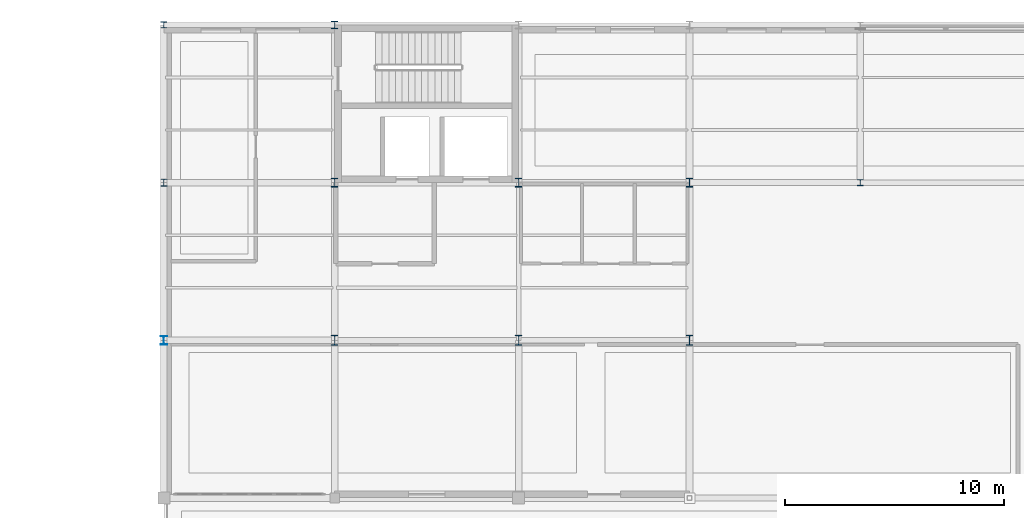
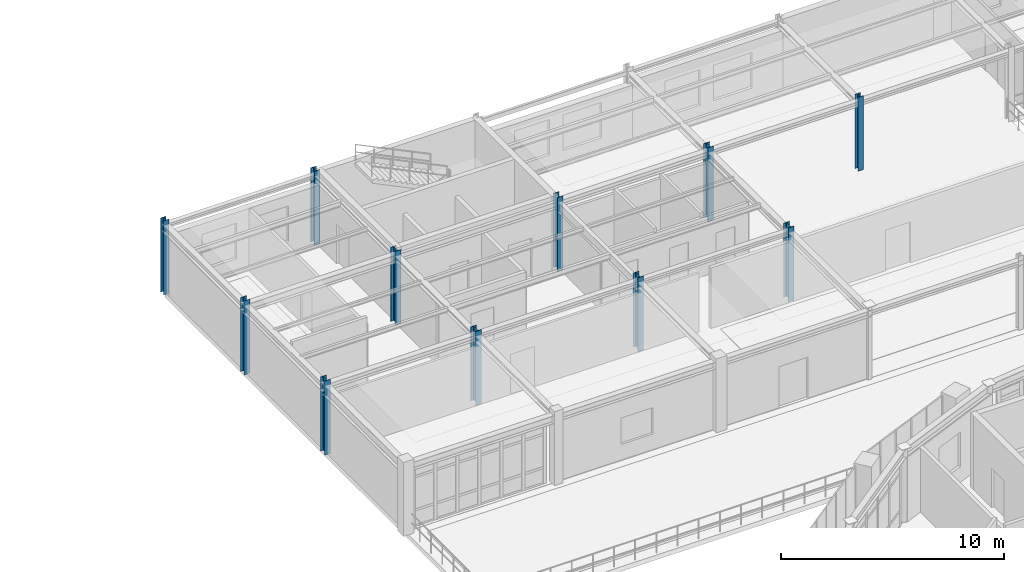
# One storey, part 11 of 58: 11 columns.
"""IFC4 building model written with IfcOpenShell, lengths in metres."""

from ifc_helpers import new_model, si_unit, derived_unit, direction, frame, origin, origin_2d, place, context, subcontext, project, spatial, i_section, extrude, material, material_profile, profile_set, type_object, element, save


model = new_model("IFC4")

# Units and contexts
model_context = context("Model", 3, precision=1e-05, world=origin(), true_north=direction((0.0, 1.0)))
body_context = subcontext(model_context, "Body", "Model", "MODEL_VIEW")
ifc_project = project(units=[si_unit("LENGTHUNIT", "METRE"), si_unit("AREAUNIT", "SQUARE_METRE"), si_unit("VOLUMEUNIT", "CUBIC_METRE"), si_unit("PLANEANGLEUNIT", "RADIAN"), si_unit("MASSUNIT", "GRAM", prefix="KILO"), derived_unit("THERMALTRANSMITTANCEUNIT", [(si_unit("POWERUNIT", "WATT"), 1), (si_unit("AREAUNIT", "SQUARE_METRE"), -1), (si_unit("THERMODYNAMICTEMPERATUREUNIT", "KELVIN"), -1)])], contexts=[model_context])

# Site, building, storey
site_placement = place(None, origin())
site = spatial("IfcSite", under=ifc_project, at=site_placement, CompositionType="ELEMENT")
building_placement = place(site_placement, origin())
building = spatial("IfcBuilding", under=site, at=building_placement, Name="Yasenodar Specialist Clinic", CompositionType="ELEMENT")
storey_placement = place(building_placement, frame((0.0, 0.0, 17.25)))
storey = spatial("IfcBuildingStorey", under=building, at=storey_placement, Name="L04", CompositionType="ELEMENT", Elevation=17.25)

# Columns
ifc_material = material(Name="Steel S355", Category="steel")
ifc_material_profile_1 = material_profile(ifc_material, i_section(OverallWidth=0.300048828125, OverallDepth=0.330078125, WebThickness=0.009521484375, FlangeThickness=0.0166015625, FilletRadius=0.027099609375, at=origin_2d()), Name="HEA 340")
ifc_profile_set_1 = profile_set([ifc_material_profile_1], Name="Steel S355")
column_type_1 = type_object("IfcColumnType", Name="COL-ST-HEA340", PredefinedType="COLUMN", material=ifc_profile_set_1)
column_1_placement = place(storey_placement, frame((49.199951171875, 104.39990234375, 0.0), z_axis=(0.0, 0.0, 1.0), x_axis=(1.0, 0.0, 0.0)))
element("IfcColumn", 1, at=column_1_placement, inside=storey, type_object=column_type_1, Name="L04 Column V5-084", PredefinedType="COLUMN", context=body_context, shape_type="SweptSolid", body=[
    extrude(i_section(OverallWidth=0.300048828125, OverallDepth=0.330078125, WebThickness=0.009521484375, FlangeThickness=0.0166015625, FilletRadius=0.027099609375, at=origin_2d()), origin(), (0.0, 0.0, 1.0), 4.050048828125),
])
ifc_material_profile_2 = material_profile(ifc_material, i_section(OverallWidth=0.300048828125, OverallDepth=0.389892578125, WebThickness=0.010986328125, FlangeThickness=0.01904296875, FilletRadius=0.027099609375, at=origin_2d()), Name="HEA 400")
ifc_profile_set_2 = profile_set([ifc_material_profile_2], Name="Steel S355")
column_type_2 = type_object("IfcColumnType", Name="COL-ST-HEA400", PredefinedType="COLUMN", material=ifc_profile_set_2)
column_2_placement = place(storey_placement, frame((49.199951171875, 97.199951171875, 0.0), z_axis=(0.0, 0.0, 1.0), x_axis=(1.0, 0.0, 0.0)))
element("IfcColumn", 2, at=column_2_placement, inside=storey, type_object=column_type_2, Name="L04 Column V5-083", PredefinedType="COLUMN", context=body_context, shape_type="SweptSolid", body=[
    extrude(i_section(OverallWidth=0.300048828125, OverallDepth=0.389892578125, WebThickness=0.010986328125, FlangeThickness=0.01904296875, FilletRadius=0.027099609375, at=origin_2d()), origin(), (0.0, 0.0, 1.0), 4.050048828125),
])
ifc_material_profile_3 = material_profile(ifc_material, i_section(OverallWidth=0.280029296875, OverallDepth=0.280029296875, WebThickness=0.010498046875, FlangeThickness=0.01806640625, FilletRadius=0.02392578125, at=origin_2d()), Name="HEB 280")
ifc_profile_set_3 = profile_set([ifc_material_profile_3], Name="Steel S355")
column_type_3 = type_object("IfcColumnType", Name="COL-ST-HEB280", PredefinedType="COLUMN", material=ifc_profile_set_3)
for number, where, z_axis, x_axis, name in (
    (3, (49.199951171875, 111.60009765625, 0.0), (0.0, 0.0, 1.0), (1.0, 0.0, 0.0), "L04 Column V5-085"),
    (4, (81.0, 104.39990234375, 0.0), (0.0, 0.0, 1.0), (1.0, 0.0, 0.0), "L04 Column V5-105"),
):
    element("IfcColumn", number, at=place(storey_placement, frame(where, z_axis=z_axis, x_axis=x_axis)), inside=storey, type_object=column_type_3, Name=name, PredefinedType="COLUMN", context=body_context, shape_type="SweptSolid", body=[
        extrude(i_section(OverallWidth=0.280029296875, OverallDepth=0.280029296875, WebThickness=0.010498046875, FlangeThickness=0.01806640625, FilletRadius=0.02392578125, at=origin_2d()), origin(), (0.0, 0.0, 1.0), 4.050048828125),
    ])
ifc_material_profile_4 = material_profile(ifc_material, i_section(OverallWidth=0.300048828125, OverallDepth=0.340087890625, WebThickness=0.011962890625, FlangeThickness=0.021484375, FilletRadius=0.027099609375, at=origin_2d()), Name="HEB 340")
ifc_profile_set_4 = profile_set([ifc_material_profile_4], Name="Steel S355")
column_type_4 = type_object("IfcColumnType", Name="COL-ST-HEB340", PredefinedType="COLUMN", material=ifc_profile_set_4)
column_3_placement = place(storey_placement, frame((57.0, 111.60009765625, 0.0), z_axis=(0.0, 0.0, 1.0), x_axis=(1.0, 0.0, 0.0)))
element("IfcColumn", 5, at=column_3_placement, inside=storey, type_object=column_type_4, Name="L04 Column V5-092", PredefinedType="COLUMN", context=body_context, shape_type="SweptSolid", body=[
    extrude(i_section(OverallWidth=0.300048828125, OverallDepth=0.340087890625, WebThickness=0.011962890625, FlangeThickness=0.021484375, FilletRadius=0.027099609375, at=origin_2d()), origin(), (0.0, 0.0, 1.0), 4.050048828125),
])
ifc_material_profile_5 = material_profile(ifc_material, i_section(OverallWidth=0.300048828125, OverallDepth=0.39990234375, WebThickness=0.013427734375, FlangeThickness=0.02392578125, FilletRadius=0.027099609375, at=origin_2d()), Name="HEB 400")
ifc_profile_set_5 = profile_set([ifc_material_profile_5], Name="Steel S355")
column_type_5 = type_object("IfcColumnType", Name="COL-ST-HEB400", PredefinedType="COLUMN", material=ifc_profile_set_5)
for number, where, z_axis, x_axis, name in (
    (6, (57.0, 104.39990234375, 0.0), (0.0, 0.0, 1.0), (1.0, 0.0, 0.0), "L04 Column V5-091"),
    (7, (65.39990234375, 104.39990234375, 0.0), (0.0, 0.0, 1.0), (1.0, 0.0, 0.0), "L04 Column V5-096"),
    (8, (73.199951171875, 104.39990234375, 0.0), (0.0, 0.0, 1.0), (1.0, 0.0, 0.0), "L04 Column V5-101"),
):
    element("IfcColumn", number, at=place(storey_placement, frame(where, z_axis=z_axis, x_axis=x_axis)), inside=storey, type_object=column_type_5, Name=name, PredefinedType="COLUMN", context=body_context, shape_type="SweptSolid", body=[
        extrude(i_section(OverallWidth=0.300048828125, OverallDepth=0.39990234375, WebThickness=0.013427734375, FlangeThickness=0.02392578125, FilletRadius=0.027099609375, at=origin_2d()), origin(), (0.0, 0.0, 1.0), 4.050048828125),
    ])
ifc_material_profile_6 = material_profile(ifc_material, i_section(OverallWidth=0.300048828125, OverallDepth=0.449951171875, WebThickness=0.013916015625, FlangeThickness=0.02587890625, FilletRadius=0.027099609375, at=origin_2d()), Name="HEB 450")
ifc_profile_set_6 = profile_set([ifc_material_profile_6], Name="Steel S355")
column_type_6 = type_object("IfcColumnType", Name="COL-ST-HEB450", PredefinedType="COLUMN", material=ifc_profile_set_6)
for number, where, z_axis, x_axis, name in (
    (9, (57.0, 97.199951171875, 0.0), (0.0, 0.0, 1.0), (1.0, 0.0, 0.0), "L04 Column V5-090"),
    (10, (65.39990234375, 97.199951171875, 0.0), (0.0, 0.0, 1.0), (1.0, 0.0, 0.0), "L04 Column V5-095"),
    (11, (73.199951171875, 97.199951171875, 0.0), (0.0, 0.0, 1.0), (1.0, 0.0, 0.0), "L04 Column V5-100"),
):
    element("IfcColumn", number, at=place(storey_placement, frame(where, z_axis=z_axis, x_axis=x_axis)), inside=storey, type_object=column_type_6, Name=name, PredefinedType="COLUMN", context=body_context, shape_type="SweptSolid", body=[
        extrude(i_section(OverallWidth=0.300048828125, OverallDepth=0.449951171875, WebThickness=0.013916015625, FlangeThickness=0.02587890625, FilletRadius=0.027099609375, at=origin_2d()), origin(), (0.0, 0.0, 1.0), 4.050048828125),
    ])

save(model, "model.ifc")
